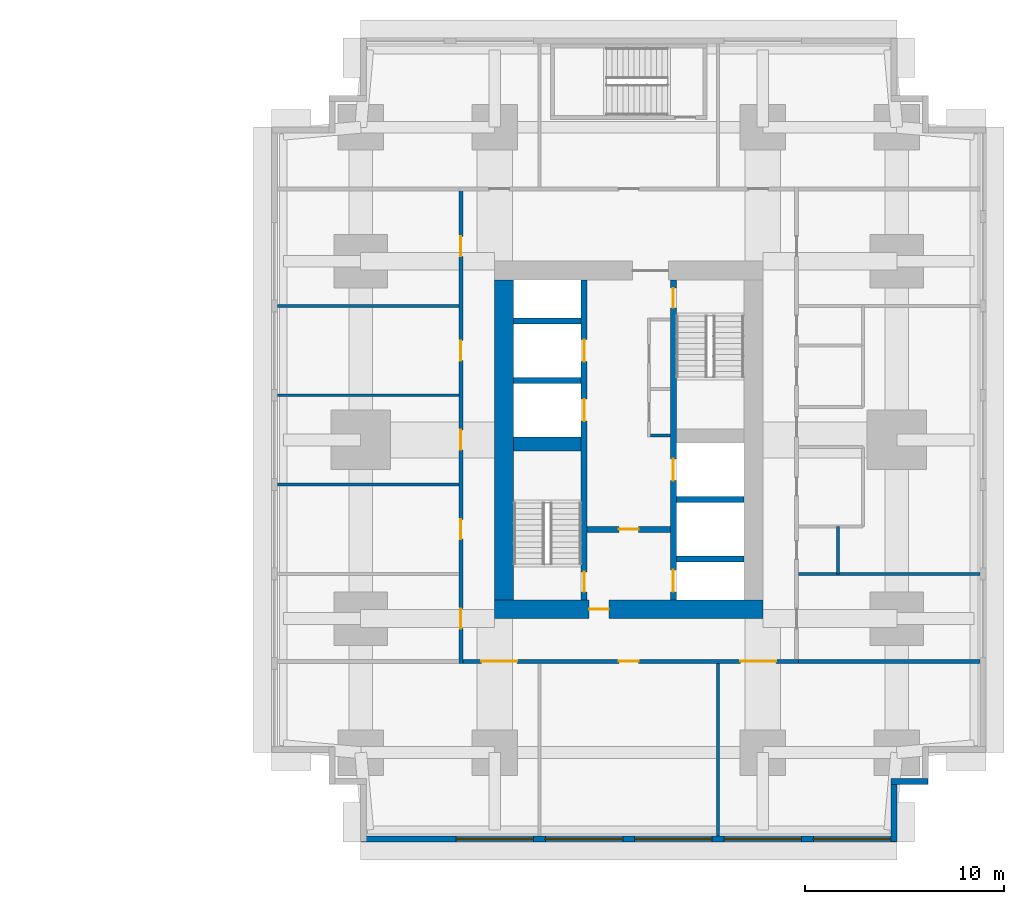
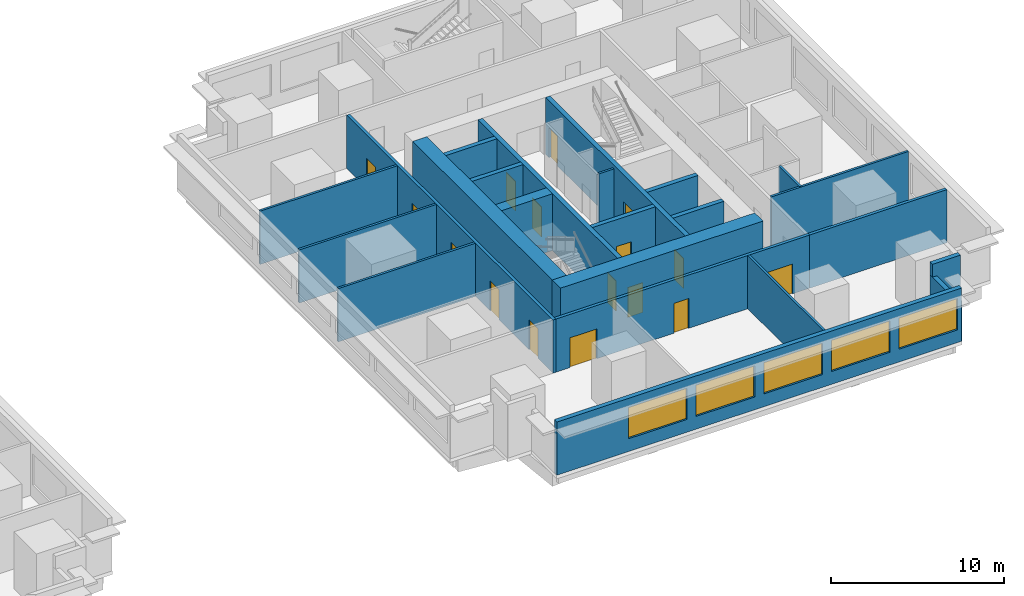
# One storey, part 6 of 11: 23 walls, 16 doors, 5 windows, 21 openings.
"""IFC4 building model written with IfcOpenShell, lengths in metres."""

from ifc_helpers import new_model, si_unit, direction, frame, frame_2d, origin, place, context, subcontext, project, spatial, rectangle, extrude, material, layer, layer_set, type_object, element, fill, save


model = new_model("IFC4")

# Units and contexts
model_context = context("Model", 3, precision=1e-05, world=origin(), true_north=direction((0.0, 1.0)))
body_context = subcontext(model_context, "Body", "Model", "MODEL_VIEW")
ifc_project = project(units=[si_unit("LENGTHUNIT", "METRE"), si_unit("AREAUNIT", "SQUARE_METRE"), si_unit("VOLUMEUNIT", "CUBIC_METRE"), si_unit("PLANEANGLEUNIT", "RADIAN"), si_unit("MASSUNIT", "GRAM", prefix="KILO")], contexts=[model_context])

# Site, building, storey
site_placement = place(None, origin())
site = spatial("IfcSite", under=ifc_project, at=site_placement, CompositionType="ELEMENT")
building_placement = place(site_placement, origin())
building = spatial("IfcBuilding", under=site, at=building_placement, Name="Namib Vertical Campus", CompositionType="ELEMENT")
storey_placement = place(building_placement, frame((0.0, 0.0, 33.0)))
storey = spatial("IfcBuildingStorey", under=building, at=storey_placement, Name="L07", CompositionType="ELEMENT", Elevation=33.0)

# Wall, openings, doors
ifc_material_1 = material(Name="Concrete C60/75", Category="concrete")
ifc_layer_1 = layer(ifc_material_1, 0.300048828125)
ifc_layer_set_1 = layer_set([ifc_layer_1], Name="Concrete C60/75")
wall_type_1 = type_object("IfcWallType", Name="Core inner wall 300", PredefinedType="SHEAR", material=ifc_layer_set_1)
wall_1_placement = place(storey_placement, frame((78.75, 12.199951171875, 0.0), z_axis=(0.0, 0.0, 1.0), x_axis=(0.0, 1.0, 0.0)))
wall_1 = element("IfcWall", 1, at=wall_1_placement, inside=storey, type_object=wall_type_1, Name="Core inner wall B L07 W1", PredefinedType="SHEAR", context=body_context, shape_type="SweptSolid", body=[
    extrude(rectangle(XDim=16.10009765625, YDim=0.300048828125, at=frame_2d((8.050048828125, 0.0))), origin(), (0.0, 0.0, 1.0), 4.0),
])
opening_1_placement = place(wall_1_placement, frame((0.39990234375, 0.0, 0.0)))
opening_1 = element("IfcOpeningElement", 2, at=opening_1_placement, cuts=wall_1, Name="Opening FD1", PredefinedType="OPENING", context=body_context, shape_type="SweptSolid", body=[
    extrude(rectangle(XDim=1.0, YDim=2.10009765625, at=frame_2d((0.5, 1.050048828125))), frame((0.0, 0.159912109375, 0.0), z_axis=(0.0, -1.0, 0.0), x_axis=(1.0, 0.0, 0.0)), (0.0, 0.0, 1.0), 0.320068359375),
])
opening_2_placement = place(wall_1_placement, frame((9.0, 0.0, 0.0)))
opening_2 = element("IfcOpeningElement", 3, at=opening_2_placement, cuts=wall_1, Name="Opening LD1", PredefinedType="OPENING", context=body_context, shape_type="SweptSolid", body=[
    extrude(rectangle(XDim=1.10009765625, YDim=2.10009765625, at=frame_2d((0.550048828125, 1.050048828125))), frame((0.0, 0.159912109375, 0.0), z_axis=(0.0, -1.0, 0.0), x_axis=(1.0, 0.0, 0.0)), (0.0, 0.0, 1.0), 0.320068359375),
])
opening_3_placement = place(wall_1_placement, frame((12.0, 0.0, 0.0)))
opening_3 = element("IfcOpeningElement", 4, at=opening_3_placement, cuts=wall_1, Name="Opening LD1", PredefinedType="OPENING", context=body_context, shape_type="SweptSolid", body=[
    extrude(rectangle(XDim=1.10009765625, YDim=2.10009765625, at=frame_2d((0.550048828125, 1.050048828125))), frame((0.0, 0.159912109375, 0.0), z_axis=(0.0, -1.0, 0.0), x_axis=(1.0, 0.0, 0.0)), (0.0, 0.0, 1.0), 0.320068359375),
])
ifc_material_2 = material(Name="Steel fire door", Category="steel")
door_type_1 = type_object("IfcDoorType", Name="Fire door 1000x2100", OperationType="SINGLE_SWING_RIGHT", PredefinedType="DOOR", material=ifc_material_2)
door_1_placement = place(opening_1_placement, origin())
door_1 = element("IfcDoor", 5, at=door_1_placement, inside=storey, type_object=door_type_1, Name="Stair door FD1 B L07 S1", OperationType="SINGLE_SWING_LEFT", OverallHeight=2.10009765625, OverallWidth=1.0, PredefinedType="DOOR", context=body_context, shape_type="SweptSolid", body=[
    extrude(rectangle(XDim=1.0, YDim=2.10009765625, at=frame_2d((0.5, 1.050048828125))), frame((0.0, 0.02490234375, 0.0), z_axis=(0.0, -1.0, 0.0), x_axis=(1.0, 0.0, 0.0)), (0.0, 0.0, 1.0), 0.050048828125),
])
fill(opening_1, door_1)
ifc_material_3 = material(Name="Stainless steel lift door", Category="steel")
door_type_2 = type_object("IfcDoorType", Name="Lift landing door 1100x2100", OperationType="DOUBLE_DOOR_SLIDING", PredefinedType="DOOR", material=ifc_material_3)
door_2_placement = place(opening_2_placement, origin())
door_2 = element("IfcDoor", 6, at=door_2_placement, inside=storey, type_object=door_type_2, Name="Lift landing door LD1 B-P1 L07", OperationType="DOUBLE_DOOR_SLIDING", OverallHeight=2.10009765625, OverallWidth=1.10009765625, PredefinedType="DOOR", context=body_context, shape_type="SweptSolid", body=[
    extrude(rectangle(XDim=1.10009765625, YDim=2.10009765625, at=frame_2d((0.550048828125, 1.050048828125))), frame((0.0, 0.02490234375, 0.0), z_axis=(0.0, -1.0, 0.0), x_axis=(1.0, 0.0, 0.0)), (0.0, 0.0, 1.0), 0.050048828125),
])
fill(opening_2, door_2)
door_3_placement = place(opening_3_placement, origin())
door_3 = element("IfcDoor", 7, at=door_3_placement, inside=storey, type_object=door_type_2, Name="Lift landing door LD1 B-P2 L07", OperationType="DOUBLE_DOOR_SLIDING", OverallHeight=2.10009765625, OverallWidth=1.10009765625, PredefinedType="DOOR", context=body_context, shape_type="SweptSolid", body=[
    extrude(rectangle(XDim=1.10009765625, YDim=2.10009765625, at=frame_2d((0.550048828125, 1.050048828125))), frame((0.0, 0.02490234375, 0.0), z_axis=(0.0, -1.0, 0.0), x_axis=(1.0, 0.0, 0.0)), (0.0, 0.0, 1.0), 0.050048828125),
])
fill(opening_3, door_3)

wall_2_placement = place(storey_placement, frame((83.25, 12.199951171875, 0.0), z_axis=(0.0, 0.0, 1.0), x_axis=(0.0, 1.0, 0.0)))
wall_2 = element("IfcWall", 8, at=wall_2_placement, inside=storey, type_object=wall_type_1, Name="Core inner wall B L07 W2", PredefinedType="SHEAR", context=body_context, shape_type="SweptSolid", body=[
    extrude(rectangle(XDim=16.10009765625, YDim=0.300048828125, at=frame_2d((8.050048828125, 0.0))), origin(), (0.0, 0.0, 1.0), 4.0),
])
opening_4_placement = place(wall_2_placement, frame((14.699951171875, 0.0, 0.0)))
opening_4 = element("IfcOpeningElement", 9, at=opening_4_placement, cuts=wall_2, Name="Opening FD1", PredefinedType="OPENING", context=body_context, shape_type="SweptSolid", body=[
    extrude(rectangle(XDim=1.0, YDim=2.10009765625, at=frame_2d((0.5, 1.050048828125))), frame((0.0, 0.159912109375, 0.0), z_axis=(0.0, -1.0, 0.0), x_axis=(1.0, 0.0, 0.0)), (0.0, 0.0, 1.0), 0.320068359375),
])
opening_5_placement = place(wall_2_placement, frame((0.39990234375, 0.0, 0.0)))
opening_5 = element("IfcOpeningElement", 10, at=opening_5_placement, cuts=wall_2, Name="Opening LD1", PredefinedType="OPENING", context=body_context, shape_type="SweptSolid", body=[
    extrude(rectangle(XDim=1.10009765625, YDim=2.10009765625, at=frame_2d((0.550048828125, 1.050048828125))), frame((0.0, 0.159912109375, 0.0), z_axis=(0.0, -1.0, 0.0), x_axis=(1.0, 0.0, 0.0)), (0.0, 0.0, 1.0), 0.320068359375),
])
opening_6_placement = place(wall_2_placement, frame((6.0, 0.0, 0.0)))
opening_6 = element("IfcOpeningElement", 11, at=opening_6_placement, cuts=wall_2, Name="Opening LD1", PredefinedType="OPENING", context=body_context, shape_type="SweptSolid", body=[
    extrude(rectangle(XDim=1.10009765625, YDim=2.10009765625, at=frame_2d((0.550048828125, 1.050048828125))), frame((0.0, 0.159912109375, 0.0), z_axis=(0.0, -1.0, 0.0), x_axis=(1.0, 0.0, 0.0)), (0.0, 0.0, 1.0), 0.320068359375),
])
door_4_placement = place(opening_4_placement, frame((1.0, 0.0, 0.0), z_axis=(0.0, 0.0, 1.0), x_axis=(-1.0, 0.0, 0.0)))
door_4 = element("IfcDoor", 12, at=door_4_placement, inside=storey, type_object=door_type_1, Name="Stair door FD1 B L07 S2", OperationType="SINGLE_SWING_LEFT", OverallHeight=2.10009765625, OverallWidth=1.0, PredefinedType="DOOR", context=body_context, shape_type="SweptSolid", body=[
    extrude(rectangle(XDim=1.0, YDim=2.10009765625, at=frame_2d((0.5, 1.050048828125))), frame((0.0, 0.02490234375, 0.0), z_axis=(0.0, -1.0, 0.0), x_axis=(1.0, 0.0, 0.0)), (0.0, 0.0, 1.0), 0.050048828125),
])
fill(opening_4, door_4)
door_5_placement = place(opening_5_placement, origin())
door_5 = element("IfcDoor", 13, at=door_5_placement, inside=storey, type_object=door_type_2, Name="Lift landing door LD1 B-FL1 L07", OperationType="DOUBLE_DOOR_SLIDING", OverallHeight=2.10009765625, OverallWidth=1.10009765625, PredefinedType="DOOR", context=body_context, shape_type="SweptSolid", body=[
    extrude(rectangle(XDim=1.10009765625, YDim=2.10009765625, at=frame_2d((0.550048828125, 1.050048828125))), frame((0.0, 0.02490234375, 0.0), z_axis=(0.0, -1.0, 0.0), x_axis=(1.0, 0.0, 0.0)), (0.0, 0.0, 1.0), 0.050048828125),
])
fill(opening_5, door_5)
door_6_placement = place(opening_6_placement, origin())
door_6 = element("IfcDoor", 14, at=door_6_placement, inside=storey, type_object=door_type_2, Name="Lift landing door LD1 B-P5 L07", OperationType="DOUBLE_DOOR_SLIDING", OverallHeight=2.10009765625, OverallWidth=1.10009765625, PredefinedType="DOOR", context=body_context, shape_type="SweptSolid", body=[
    extrude(rectangle(XDim=1.10009765625, YDim=2.10009765625, at=frame_2d((0.550048828125, 1.050048828125))), frame((0.0, 0.02490234375, 0.0), z_axis=(0.0, -1.0, 0.0), x_axis=(1.0, 0.0, 0.0)), (0.0, 0.0, 1.0), 0.050048828125),
])
fill(opening_6, door_6)

# Wall, opening, door
wall_3_placement = place(storey_placement, frame((78.89990234375, 15.75, 0.0), z_axis=(0.0, 0.0, 1.0), x_axis=(1.0, 0.0, 0.0)))
wall_3 = element("IfcWall", 15, at=wall_3_placement, inside=storey, type_object=wall_type_1, Name="Core inner wall B L07 W4", PredefinedType="SHEAR", context=body_context, shape_type="SweptSolid", body=[
    extrude(rectangle(XDim=4.2001953125, YDim=0.300048828125, at=frame_2d((2.10009765625, 0.0))), origin(), (0.0, 0.0, 1.0), 4.0),
])
opening_7_placement = place(wall_3_placement, frame((1.60009765625, 0.0, 0.0)))
opening_7 = element("IfcOpeningElement", 16, at=opening_7_placement, cuts=wall_3, Name="Opening FD5", PredefinedType="OPENING", context=body_context, shape_type="SweptSolid", body=[
    extrude(rectangle(XDim=1.0, YDim=2.10009765625, at=frame_2d((0.5, 1.050048828125))), frame((0.0, 0.159912109375, 0.0), z_axis=(0.0, -1.0, 0.0), x_axis=(1.0, 0.0, 0.0)), (0.0, 0.0, 1.0), 0.320068359375),
])
ifc_material_4 = material(Name="Steel fire door", Category="steel")
door_type_3 = type_object("IfcDoorType", Name="Fire door 1000x2100 120 min", OperationType="SINGLE_SWING_RIGHT", PredefinedType="DOOR", material=ifc_material_4)
door_7_placement = place(opening_7_placement, frame((1.0, 0.0, 0.0), z_axis=(0.0, 0.0, 1.0), x_axis=(-1.0, 0.0, 0.0)))
door_7 = element("IfcDoor", 17, at=door_7_placement, inside=storey, type_object=door_type_3, Name="Lobby door FD5 B L07", OperationType="SINGLE_SWING_RIGHT", OverallHeight=2.10009765625, OverallWidth=1.0, PredefinedType="DOOR", context=body_context, shape_type="SweptSolid", body=[
    extrude(rectangle(XDim=1.0, YDim=2.10009765625, at=frame_2d((0.5, 1.050048828125))), frame((0.0, 0.02490234375, 0.0), z_axis=(0.0, -1.0, 0.0), x_axis=(1.0, 0.0, 0.0)), (0.0, 0.0, 1.0), 0.050048828125),
])
fill(opening_7, door_7)

# Walls
for number, where, z_axis, x_axis, name in (
    (18, (83.39990234375, 14.25, 0.0), (0.0, 0.0, 1.0), (1.0, 0.0, 0.0), "Core inner wall B L07 W5"),
    (19, (83.39990234375, 17.25, 0.0), (0.0, 0.0, 1.0), (1.0, 0.0, 0.0), "Core inner wall B L07 W6"),
    (20, (75.199951171875, 23.25, 0.0), (0.0, 0.0, 1.0), (1.0, 0.0, 0.0), "Core inner wall B L07 W8"),
    (21, (75.199951171875, 26.25, 0.0), (0.0, 0.0, 1.0), (1.0, 0.0, 0.0), "Core inner wall B L07 W9"),
):
    element("IfcWall", number, at=place(storey_placement, frame(where, z_axis=z_axis, x_axis=x_axis)), inside=storey, type_object=wall_type_1, Name=name, PredefinedType="SHEAR", context=body_context, shape_type="SweptSolid", body=[
        extrude(rectangle(XDim=3.400146484375, YDim=0.300048828125, at=frame_2d((1.7001953125, 0.0))), origin(), (0.0, 0.0, 1.0), 4.0),
    ])
ifc_material_5 = material(Name="Concrete C60/75", Category="concrete")
ifc_layer_2 = layer(ifc_material_5, 0.699951171875)
ifc_layer_set_2 = layer_set([ifc_layer_2], Name="Concrete C60/75")
wall_type_2 = type_object("IfcWallType", Name="Core shear wall 700", PredefinedType="SHEAR", material=ifc_layer_set_2)
wall_4_placement = place(storey_placement, frame((75.199951171875, 20.050048828125, 0.0), z_axis=(0.0, 0.0, 1.0), x_axis=(1.0, 0.0, 0.0)))
element("IfcWall", 22, at=wall_4_placement, inside=storey, type_object=wall_type_2, Name="Core shear wall B L07 W3", PredefinedType="SHEAR", context=body_context, shape_type="SweptSolid", body=[
    extrude(rectangle(XDim=3.400146484375, YDim=0.699951171875, at=frame_2d((1.7001953125, 0.0))), origin(), (0.0, 0.0, 1.0), 4.0),
])

# Wall, opening, door
ifc_material_6 = material(Name="Concrete C60/75", Category="concrete")
ifc_layer_3 = layer(ifc_material_6, 0.949951171875)
ifc_layer_set_3 = layer_set([ifc_layer_3], Name="Concrete C60/75")
wall_type_3 = type_object("IfcWallType", Name="Core wall 950", PredefinedType="SHEAR", material=ifc_layer_set_3)
wall_5_placement = place(storey_placement, frame((74.25, 11.72509765625, 0.0), z_axis=(0.0, 0.0, 1.0), x_axis=(1.0, 0.0, 0.0)))
wall_5 = element("IfcWall", 23, at=wall_5_placement, inside=storey, type_object=wall_type_3, Name="Core wall B L07 1", PredefinedType="SHEAR", context=body_context, shape_type="SweptSolid", body=[
    extrude(rectangle(XDim=13.5, YDim=0.949951171875, at=frame_2d((6.75, 0.0))), origin(), (0.0, 0.0, 1.0), 4.0),
])
opening_8_placement = place(wall_5_placement, frame((4.75, 0.0, 0.0)))
opening_8 = element("IfcOpeningElement", 24, at=opening_8_placement, cuts=wall_5, Name="Opening FD5", PredefinedType="OPENING", context=body_context, shape_type="SweptSolid", body=[
    extrude(rectangle(XDim=1.0, YDim=2.10009765625, at=frame_2d((0.5, 1.050048828125))), frame((0.0, 0.48486328125, 0.0), z_axis=(0.0, -1.0, 0.0), x_axis=(1.0, 0.0, 0.0)), (0.0, 0.0, 1.0), 0.969970703125),
])
door_8_placement = place(opening_8_placement, origin())
door_8 = element("IfcDoor", 25, at=door_8_placement, inside=storey, type_object=door_type_3, Name="Firefighting lobby door FD5 B L07", OperationType="SINGLE_SWING_LEFT", OverallHeight=2.10009765625, OverallWidth=1.0, PredefinedType="DOOR", context=body_context, shape_type="SweptSolid", body=[
    extrude(rectangle(XDim=1.0, YDim=2.10009765625, at=frame_2d((0.5, 1.050048828125))), frame((0.0, 0.02490234375, 0.0), z_axis=(0.0, -1.0, 0.0), x_axis=(1.0, 0.0, 0.0)), (0.0, 0.0, 1.0), 0.050048828125),
])
fill(opening_8, door_8)

# Wall
wall_6_placement = place(storey_placement, frame((74.72509765625, 28.300048828125, 0.0), z_axis=(0.0, 0.0, 1.0), x_axis=(0.0, -1.0, 0.0)))
element("IfcWall", 26, at=wall_6_placement, inside=storey, type_object=wall_type_3, Name="Core wall B L07 4", PredefinedType="SHEAR", context=body_context, shape_type="SweptSolid", body=[
    extrude(rectangle(XDim=16.10009765625, YDim=0.949951171875, at=frame_2d((8.050048828125, 0.0))), origin(), (0.0, 0.0, 1.0), 4.0),
])

# Wall, openings, doors
ifc_material_7 = material(Name="Concrete masonry", Category="masonry")
ifc_layer_4 = layer(ifc_material_7, 0.199951171875)
ifc_layer_set_4 = layer_set([ifc_layer_4], Name="Corridor wall 200")
wall_type_4 = type_object("IfcWallType", Name="Corridor wall 200", PredefinedType="SOLIDWALL", material=ifc_layer_set_4)
wall_7_placement = place(storey_placement, frame((72.64990234375, 9.10009765625, 0.0), z_axis=(0.0, 0.0, 1.0), x_axis=(1.0, 0.0, 0.0)))
wall_7 = element("IfcWall", 27, at=wall_7_placement, inside=storey, type_object=wall_type_4, Name="Corridor wall B L07 CS", PredefinedType="SOLIDWALL", context=body_context, shape_type="SweptSolid", body=[
    extrude(rectangle(XDim=16.900146484375, YDim=0.199951171875, at=frame_2d((8.4501953125, 0.0))), origin(), (0.0, 0.0, 1.0), 3.75),
])
opening_9_placement = place(wall_7_placement, frame((0.925048828125, 0.0, 0.0)))
opening_9 = element("IfcOpeningElement", 28, at=opening_9_placement, cuts=wall_7, Name="Opening CD2", PredefinedType="OPENING", context=body_context, shape_type="SweptSolid", body=[
    extrude(rectangle(XDim=1.800048828125, YDim=2.10009765625, at=frame_2d((0.89990234375, 1.050048828125))), frame((0.0, 0.10986328125, 0.0), z_axis=(0.0, -1.0, 0.0), x_axis=(1.0, 0.0, 0.0)), (0.0, 0.0, 1.0), 0.219970703125),
])
opening_10_placement = place(wall_7_placement, frame((7.85009765625, 0.0, 0.0)))
opening_10 = element("IfcOpeningElement", 29, at=opening_10_placement, cuts=wall_7, Name="Opening CD1", PredefinedType="OPENING", context=body_context, shape_type="SweptSolid", body=[
    extrude(rectangle(XDim=1.0, YDim=2.10009765625, at=frame_2d((0.5, 1.050048828125))), frame((0.0, 0.10986328125, 0.0), z_axis=(0.0, -1.0, 0.0), x_axis=(1.0, 0.0, 0.0)), (0.0, 0.0, 1.0), 0.219970703125),
])
opening_11_placement = place(wall_7_placement, frame((13.97509765625, 0.0, 0.0)))
opening_11 = element("IfcOpeningElement", 30, at=opening_11_placement, cuts=wall_7, Name="Opening CD2", PredefinedType="OPENING", context=body_context, shape_type="SweptSolid", body=[
    extrude(rectangle(XDim=1.800048828125, YDim=2.10009765625, at=frame_2d((0.89990234375, 1.050048828125))), frame((0.0, 0.10986328125, 0.0), z_axis=(0.0, -1.0, 0.0), x_axis=(1.0, 0.0, 0.0)), (0.0, 0.0, 1.0), 0.219970703125),
])
ifc_material_8 = material(Name="Timber fire door leaf", Category="wood")
door_type_4 = type_object("IfcDoorType", Name="Corridor door 1000x2100 20 min", OperationType="SINGLE_SWING_LEFT", PredefinedType="DOOR", material=ifc_material_8)
door_9_placement = place(opening_10_placement, frame((1.0, 0.0, 0.0), z_axis=(0.0, 0.0, 1.0), x_axis=(-1.0, 0.0, 0.0)))
door_9 = element("IfcDoor", 31, at=door_9_placement, inside=storey, type_object=door_type_4, Name="Door CD1 B07-02", OperationType="SINGLE_SWING_RIGHT", OverallHeight=2.10009765625, OverallWidth=1.0, PredefinedType="DOOR", context=body_context, shape_type="SweptSolid", body=[
    extrude(rectangle(XDim=1.0, YDim=2.10009765625, at=frame_2d((0.5, 1.050048828125))), frame((0.0, 0.02490234375, 0.0), z_axis=(0.0, -1.0, 0.0), x_axis=(1.0, 0.0, 0.0)), (0.0, 0.0, 1.0), 0.050048828125),
])
fill(opening_10, door_9)
ifc_material_9 = material(Name="Timber fire door leaf", Category="wood")
door_type_5 = type_object("IfcDoorType", Name="Corridor door double 1800x2100 20 min", OperationType="DOUBLE_DOOR_SINGLE_SWING", PredefinedType="DOOR", material=ifc_material_9)
door_10_placement = place(opening_9_placement, frame((1.800048828125, 0.0, 0.0), z_axis=(0.0, 0.0, 1.0), x_axis=(-1.0, 0.0, 0.0)))
door_10 = element("IfcDoor", 32, at=door_10_placement, inside=storey, type_object=door_type_5, Name="Door CD2 B07-01", OperationType="DOUBLE_DOOR_SINGLE_SWING", OverallHeight=2.10009765625, OverallWidth=1.800048828125, PredefinedType="DOOR", context=body_context, shape_type="SweptSolid", body=[
    extrude(rectangle(XDim=1.800048828125, YDim=2.10009765625, at=frame_2d((0.89990234375, 1.050048828125))), frame((0.0, 0.02490234375, 0.0), z_axis=(0.0, -1.0, 0.0), x_axis=(1.0, 0.0, 0.0)), (0.0, 0.0, 1.0), 0.050048828125),
])
fill(opening_9, door_10)
door_11_placement = place(opening_11_placement, frame((1.800048828125, 0.0, 0.0), z_axis=(0.0, 0.0, 1.0), x_axis=(-1.0, 0.0, 0.0)))
door_11 = element("IfcDoor", 33, at=door_11_placement, inside=storey, type_object=door_type_5, Name="Door CD2 B07-03", OperationType="DOUBLE_DOOR_SINGLE_SWING", OverallHeight=2.10009765625, OverallWidth=1.800048828125, PredefinedType="DOOR", context=body_context, shape_type="SweptSolid", body=[
    extrude(rectangle(XDim=1.800048828125, YDim=2.10009765625, at=frame_2d((0.89990234375, 1.050048828125))), frame((0.0, 0.02490234375, 0.0), z_axis=(0.0, -1.0, 0.0), x_axis=(1.0, 0.0, 0.0)), (0.0, 0.0, 1.0), 0.050048828125),
])
fill(opening_11, door_11)

wall_8_placement = place(storey_placement, frame((72.550048828125, 32.800048828125, 0.0), z_axis=(0.0, 0.0, 1.0), x_axis=(0.0, -1.0, 0.0)))
wall_8 = element("IfcWall", 34, at=wall_8_placement, inside=storey, type_object=wall_type_4, Name="Corridor wall B L07 CW", PredefinedType="SOLIDWALL", context=body_context, shape_type="SweptSolid", body=[
    extrude(rectangle(XDim=23.800048828125, YDim=0.199951171875, at=frame_2d((11.89990234375, 0.0))), origin(), (0.0, 0.0, 1.0), 3.75),
])
opening_12_placement = place(wall_8_placement, frame((21.050048828125, 0.0, 0.0)))
opening_12 = element("IfcOpeningElement", 35, at=opening_12_placement, cuts=wall_8, Name="Opening CD1", PredefinedType="OPENING", context=body_context, shape_type="SweptSolid", body=[
    extrude(rectangle(XDim=1.0, YDim=2.10009765625, at=frame_2d((0.5, 1.050048828125))), frame((0.0, 0.10986328125, 0.0), z_axis=(0.0, -1.0, 0.0), x_axis=(1.0, 0.0, 0.0)), (0.0, 0.0, 1.0), 0.219970703125),
])
opening_13_placement = place(wall_8_placement, frame((16.550048828125, 0.0, 0.0)))
opening_13 = element("IfcOpeningElement", 36, at=opening_13_placement, cuts=wall_8, Name="Opening CD1", PredefinedType="OPENING", context=body_context, shape_type="SweptSolid", body=[
    extrude(rectangle(XDim=1.0, YDim=2.10009765625, at=frame_2d((0.5, 1.050048828125))), frame((0.0, 0.10986328125, 0.0), z_axis=(0.0, -1.0, 0.0), x_axis=(1.0, 0.0, 0.0)), (0.0, 0.0, 1.0), 0.219970703125),
])
opening_14_placement = place(wall_8_placement, frame((12.050048828125, 0.0, 0.0)))
opening_14 = element("IfcOpeningElement", 37, at=opening_14_placement, cuts=wall_8, Name="Opening CD1", PredefinedType="OPENING", context=body_context, shape_type="SweptSolid", body=[
    extrude(rectangle(XDim=1.0, YDim=2.10009765625, at=frame_2d((0.5, 1.050048828125))), frame((0.0, 0.10986328125, 0.0), z_axis=(0.0, -1.0, 0.0), x_axis=(1.0, 0.0, 0.0)), (0.0, 0.0, 1.0), 0.219970703125),
])
opening_15_placement = place(wall_8_placement, frame((7.550048828125, 0.0, 0.0)))
opening_15 = element("IfcOpeningElement", 38, at=opening_15_placement, cuts=wall_8, Name="Opening CD1", PredefinedType="OPENING", context=body_context, shape_type="SweptSolid", body=[
    extrude(rectangle(XDim=1.0, YDim=2.10009765625, at=frame_2d((0.5, 1.050048828125))), frame((0.0, 0.10986328125, 0.0), z_axis=(0.0, -1.0, 0.0), x_axis=(1.0, 0.0, 0.0)), (0.0, 0.0, 1.0), 0.219970703125),
])
opening_16_placement = place(wall_8_placement, frame((2.300048828125, 0.0, 0.0)))
opening_16 = element("IfcOpeningElement", 39, at=opening_16_placement, cuts=wall_8, Name="Opening CD1", PredefinedType="OPENING", context=body_context, shape_type="SweptSolid", body=[
    extrude(rectangle(XDim=1.0, YDim=2.10009765625, at=frame_2d((0.5, 1.050048828125))), frame((0.0, 0.10986328125, 0.0), z_axis=(0.0, -1.0, 0.0), x_axis=(1.0, 0.0, 0.0)), (0.0, 0.0, 1.0), 0.219970703125),
])
door_12_placement = place(opening_12_placement, frame((1.0, 0.0, 0.0), z_axis=(0.0, 0.0, 1.0), x_axis=(-1.0, 0.0, 0.0)))
door_12 = element("IfcDoor", 40, at=door_12_placement, inside=storey, type_object=door_type_4, Name="Door CD1 B07-14", OperationType="SINGLE_SWING_RIGHT", OverallHeight=2.10009765625, OverallWidth=1.0, PredefinedType="DOOR", context=body_context, shape_type="SweptSolid", body=[
    extrude(rectangle(XDim=1.0, YDim=2.10009765625, at=frame_2d((0.5, 1.050048828125))), frame((0.0, 0.02490234375, 0.0), z_axis=(0.0, -1.0, 0.0), x_axis=(1.0, 0.0, 0.0)), (0.0, 0.0, 1.0), 0.050048828125),
])
fill(opening_12, door_12)
door_13_placement = place(opening_13_placement, frame((1.0, 0.0, 0.0), z_axis=(0.0, 0.0, 1.0), x_axis=(-1.0, 0.0, 0.0)))
door_13 = element("IfcDoor", 41, at=door_13_placement, inside=storey, type_object=door_type_4, Name="Door CD1 B07-15", OperationType="SINGLE_SWING_RIGHT", OverallHeight=2.10009765625, OverallWidth=1.0, PredefinedType="DOOR", context=body_context, shape_type="SweptSolid", body=[
    extrude(rectangle(XDim=1.0, YDim=2.10009765625, at=frame_2d((0.5, 1.050048828125))), frame((0.0, 0.02490234375, 0.0), z_axis=(0.0, -1.0, 0.0), x_axis=(1.0, 0.0, 0.0)), (0.0, 0.0, 1.0), 0.050048828125),
])
fill(opening_13, door_13)
door_14_placement = place(opening_14_placement, frame((1.0, 0.0, 0.0), z_axis=(0.0, 0.0, 1.0), x_axis=(-1.0, 0.0, 0.0)))
door_14 = element("IfcDoor", 42, at=door_14_placement, inside=storey, type_object=door_type_4, Name="Door CD1 B07-16", OperationType="SINGLE_SWING_RIGHT", OverallHeight=2.10009765625, OverallWidth=1.0, PredefinedType="DOOR", context=body_context, shape_type="SweptSolid", body=[
    extrude(rectangle(XDim=1.0, YDim=2.10009765625, at=frame_2d((0.5, 1.050048828125))), frame((0.0, 0.02490234375, 0.0), z_axis=(0.0, -1.0, 0.0), x_axis=(1.0, 0.0, 0.0)), (0.0, 0.0, 1.0), 0.050048828125),
])
fill(opening_14, door_14)
door_15_placement = place(opening_15_placement, frame((1.0, 0.0, 0.0), z_axis=(0.0, 0.0, 1.0), x_axis=(-1.0, 0.0, 0.0)))
door_15 = element("IfcDoor", 43, at=door_15_placement, inside=storey, type_object=door_type_4, Name="Door CD1 B07-17", OperationType="SINGLE_SWING_RIGHT", OverallHeight=2.10009765625, OverallWidth=1.0, PredefinedType="DOOR", context=body_context, shape_type="SweptSolid", body=[
    extrude(rectangle(XDim=1.0, YDim=2.10009765625, at=frame_2d((0.5, 1.050048828125))), frame((0.0, 0.02490234375, 0.0), z_axis=(0.0, -1.0, 0.0), x_axis=(1.0, 0.0, 0.0)), (0.0, 0.0, 1.0), 0.050048828125),
])
fill(opening_15, door_15)
door_16_placement = place(opening_16_placement, frame((1.0, 0.0, 0.0), z_axis=(0.0, 0.0, 1.0), x_axis=(-1.0, 0.0, 0.0)))
door_16 = element("IfcDoor", 44, at=door_16_placement, inside=storey, type_object=door_type_4, Name="Door CD1 B07-18", OperationType="SINGLE_SWING_RIGHT", OverallHeight=2.10009765625, OverallWidth=1.0, PredefinedType="DOOR", context=body_context, shape_type="SweptSolid", body=[
    extrude(rectangle(XDim=1.0, YDim=2.10009765625, at=frame_2d((0.5, 1.050048828125))), frame((0.0, 0.02490234375, 0.0), z_axis=(0.0, -1.0, 0.0), x_axis=(1.0, 0.0, 0.0)), (0.0, 0.0, 1.0), 0.050048828125),
])
fill(opening_16, door_16)

# Wall
wall_9_placement = place(storey_placement, frame((89.550048828125, 9.10009765625, 0.0), z_axis=(0.0, 0.0, 1.0), x_axis=(1.0, 0.0, 0.0)))
element("IfcWall", 45, at=wall_9_placement, inside=storey, type_object=wall_type_4, Name="Partition B L07 BSE", PredefinedType="SOLIDWALL", context=body_context, shape_type="SweptSolid", body=[
    extrude(rectangle(XDim=9.14990234375, YDim=0.199951171875, at=frame_2d((4.574951171875, 0.0))), origin(), (0.0, 0.0, 1.0), 3.75),
])

# Wall, openings, windows
ifc_material_10 = material(Name="Concrete C40/50", Category="concrete")
ifc_layer_5 = layer(ifc_material_10, 0.300048828125)
ifc_layer_set_5 = layer_set([ifc_layer_5], Name="Concrete C40/50")
wall_type_5 = type_object("IfcWallType", Name="External wall 300 board-marked concrete", PredefinedType="STANDARD", material=ifc_layer_set_5)
wall_10_placement = place(storey_placement, frame((67.52001953125, 0.14990234375, 0.0), z_axis=(0.0, 0.0, 1.0), x_axis=(1.0, 0.0, 0.0)))
wall_10 = element("IfcWall", 46, at=wall_10_placement, inside=storey, type_object=wall_type_5, Name="External wall L07 F01", PredefinedType="STANDARD", context=body_context, shape_type="SweptSolid", body=[
    extrude(rectangle(XDim=26.9599609375, YDim=0.300048828125, at=frame_2d((13.47998046875, 0.0))), origin(), (0.0, 0.0, 1.0), 3.75),
])
opening_17_placement = place(wall_10_placement, frame((4.780029296875, 0.0, 0.89990234375)))
opening_17 = element("IfcOpeningElement", 47, at=opening_17_placement, cuts=wall_10, Name="Opening W1", PredefinedType="OPENING", context=body_context, shape_type="SweptSolid", body=[
    extrude(rectangle(XDim=3.89990234375, YDim=2.199951171875, at=frame_2d((1.949951171875, 1.10009765625))), frame((0.0, 0.159912109375, 0.0), z_axis=(0.0, -1.0, 0.0), x_axis=(1.0, 0.0, 0.0)), (0.0, 0.0, 1.0), 0.320068359375),
])
opening_18_placement = place(wall_10_placement, frame((9.280029296875, 0.0, 0.89990234375)))
opening_18 = element("IfcOpeningElement", 48, at=opening_18_placement, cuts=wall_10, Name="Opening W1", PredefinedType="OPENING", context=body_context, shape_type="SweptSolid", body=[
    extrude(rectangle(XDim=3.89990234375, YDim=2.199951171875, at=frame_2d((1.949951171875, 1.10009765625))), frame((0.0, 0.159912109375, 0.0), z_axis=(0.0, -1.0, 0.0), x_axis=(1.0, 0.0, 0.0)), (0.0, 0.0, 1.0), 0.320068359375),
])
opening_19_placement = place(wall_10_placement, frame((13.780029296875, 0.0, 0.89990234375)))
opening_19 = element("IfcOpeningElement", 49, at=opening_19_placement, cuts=wall_10, Name="Opening W1", PredefinedType="OPENING", context=body_context, shape_type="SweptSolid", body=[
    extrude(rectangle(XDim=3.89990234375, YDim=2.199951171875, at=frame_2d((1.949951171875, 1.10009765625))), frame((0.0, 0.159912109375, 0.0), z_axis=(0.0, -1.0, 0.0), x_axis=(1.0, 0.0, 0.0)), (0.0, 0.0, 1.0), 0.320068359375),
])
opening_20_placement = place(wall_10_placement, frame((18.280029296875, 0.0, 0.89990234375)))
opening_20 = element("IfcOpeningElement", 50, at=opening_20_placement, cuts=wall_10, Name="Opening W1", PredefinedType="OPENING", context=body_context, shape_type="SweptSolid", body=[
    extrude(rectangle(XDim=3.89990234375, YDim=2.199951171875, at=frame_2d((1.949951171875, 1.10009765625))), frame((0.0, 0.159912109375, 0.0), z_axis=(0.0, -1.0, 0.0), x_axis=(1.0, 0.0, 0.0)), (0.0, 0.0, 1.0), 0.320068359375),
])
opening_21_placement = place(wall_10_placement, frame((22.780029296875, 0.0, 0.89990234375)))
opening_21 = element("IfcOpeningElement", 51, at=opening_21_placement, cuts=wall_10, Name="Opening W1", PredefinedType="OPENING", context=body_context, shape_type="SweptSolid", body=[
    extrude(rectangle(XDim=3.89990234375, YDim=2.199951171875, at=frame_2d((1.949951171875, 1.10009765625))), frame((0.0, 0.159912109375, 0.0), z_axis=(0.0, -1.0, 0.0), x_axis=(1.0, 0.0, 0.0)), (0.0, 0.0, 1.0), 0.320068359375),
])
ifc_material_11 = material(Name="Dark tinted glass in black aluminium frame", Category="aluminium")
window_type = type_object("IfcWindowType", Name="Ribbon window 3900x2200", PartitioningType="SINGLE_PANEL", PredefinedType="WINDOW", material=ifc_material_11)
window_1_placement = place(opening_17_placement, origin())
window_1 = element("IfcWindow", 52, at=window_1_placement, inside=storey, type_object=window_type, Name="Window W1 L07 F01-2", OverallHeight=2.199951171875, OverallWidth=3.89990234375, PartitioningType="SINGLE_PANEL", PredefinedType="WINDOW", context=body_context, shape_type="SweptSolid", body=[
    extrude(rectangle(XDim=3.89990234375, YDim=2.199951171875, at=frame_2d((1.949951171875, 1.10009765625))), frame((0.0, 0.030029296875, 0.0), z_axis=(0.0, -1.0, 0.0), x_axis=(1.0, 0.0, 0.0)), (0.0, 0.0, 1.0), 0.06005859375),
])
fill(opening_17, window_1)
window_2_placement = place(opening_18_placement, origin())
window_2 = element("IfcWindow", 53, at=window_2_placement, inside=storey, type_object=window_type, Name="Window W1 L07 F01-3", OverallHeight=2.199951171875, OverallWidth=3.89990234375, PartitioningType="SINGLE_PANEL", PredefinedType="WINDOW", context=body_context, shape_type="SweptSolid", body=[
    extrude(rectangle(XDim=3.89990234375, YDim=2.199951171875, at=frame_2d((1.949951171875, 1.10009765625))), frame((0.0, 0.030029296875, 0.0), z_axis=(0.0, -1.0, 0.0), x_axis=(1.0, 0.0, 0.0)), (0.0, 0.0, 1.0), 0.06005859375),
])
fill(opening_18, window_2)
window_3_placement = place(opening_19_placement, origin())
window_3 = element("IfcWindow", 54, at=window_3_placement, inside=storey, type_object=window_type, Name="Window W1 L07 F01-4", OverallHeight=2.199951171875, OverallWidth=3.89990234375, PartitioningType="SINGLE_PANEL", PredefinedType="WINDOW", context=body_context, shape_type="SweptSolid", body=[
    extrude(rectangle(XDim=3.89990234375, YDim=2.199951171875, at=frame_2d((1.949951171875, 1.10009765625))), frame((0.0, 0.030029296875, 0.0), z_axis=(0.0, -1.0, 0.0), x_axis=(1.0, 0.0, 0.0)), (0.0, 0.0, 1.0), 0.06005859375),
])
fill(opening_19, window_3)
window_4_placement = place(opening_20_placement, origin())
window_4 = element("IfcWindow", 55, at=window_4_placement, inside=storey, type_object=window_type, Name="Window W1 L07 F01-5", OverallHeight=2.199951171875, OverallWidth=3.89990234375, PartitioningType="SINGLE_PANEL", PredefinedType="WINDOW", context=body_context, shape_type="SweptSolid", body=[
    extrude(rectangle(XDim=3.89990234375, YDim=2.199951171875, at=frame_2d((1.949951171875, 1.10009765625))), frame((0.0, 0.030029296875, 0.0), z_axis=(0.0, -1.0, 0.0), x_axis=(1.0, 0.0, 0.0)), (0.0, 0.0, 1.0), 0.06005859375),
])
fill(opening_20, window_4)
window_5_placement = place(opening_21_placement, origin())
window_5 = element("IfcWindow", 56, at=window_5_placement, inside=storey, type_object=window_type, Name="Window W1 L07 F01-6", OverallHeight=2.199951171875, OverallWidth=3.89990234375, PartitioningType="SINGLE_PANEL", PredefinedType="WINDOW", context=body_context, shape_type="SweptSolid", body=[
    extrude(rectangle(XDim=3.89990234375, YDim=2.199951171875, at=frame_2d((1.949951171875, 1.10009765625))), frame((0.0, 0.030029296875, 0.0), z_axis=(0.0, -1.0, 0.0), x_axis=(1.0, 0.0, 0.0)), (0.0, 0.0, 1.0), 0.06005859375),
])
fill(opening_21, window_5)

# Walls
wall_11_placement = place(storey_placement, frame((94.35009765625, 0.02001953125, 0.0), z_axis=(0.0, 0.0, 1.0), x_axis=(0.0, 1.0, 0.0)))
element("IfcWall", 57, at=wall_11_placement, inside=storey, type_object=wall_type_5, Name="External wall L07 F02", PredefinedType="STANDARD", context=body_context, shape_type="SweptSolid", body=[
    extrude(rectangle(XDim=3.159912109375, YDim=0.300048828125, at=frame_2d((1.580078125, 0.0))), origin(), (0.0, 0.0, 1.0), 2.85009765625),
])
wall_12_placement = place(storey_placement, frame((94.219970703125, 3.050048828125, 0.0), z_axis=(0.0, 0.0, 1.0), x_axis=(1.0, 0.0, 0.0)))
element("IfcWall", 58, at=wall_12_placement, inside=storey, type_object=wall_type_5, Name="External wall L07 F03", PredefinedType="STANDARD", context=body_context, shape_type="SweptSolid", body=[
    extrude(rectangle(XDim=1.860107421875, YDim=0.300048828125, at=frame_2d((0.93017578125, 0.0))), origin(), (0.0, 0.0, 1.0), 3.75),
])
ifc_material_12 = material(Name="Gypsum board on steel studs", Category="steel")
ifc_layer_6 = layer(ifc_material_12, 0.14990234375)
ifc_layer_set_6 = layer_set([ifc_layer_6], Name="Gypsum board on steel studs")
wall_type_6 = type_object("IfcWallType", Name="Partition 150", PredefinedType="PARTITIONING", material=ifc_layer_set_6)
wall_13_placement = place(storey_placement, frame((82.10009765625, 20.47509765625, 0.0), z_axis=(0.0, 0.0, 1.0), x_axis=(1.0, 0.0, 0.0)))
element("IfcWall", 59, at=wall_13_placement, inside=storey, type_object=wall_type_6, Name="Partition B L07 Cleaners' store and Tea point end 1", PredefinedType="PARTITIONING", context=body_context, shape_type="SweptSolid", body=[
    extrude(rectangle(XDim=1.0, YDim=0.14990234375, at=frame_2d((0.5, 0.0))), origin(), (0.0, 0.0, 1.0), 3.75),
])
wall_14_placement = place(storey_placement, frame((85.5, 0.300048828125, 0.0), z_axis=(0.0, 0.0, 1.0), x_axis=(0.0, 1.0, 0.0)))
element("IfcWall", 60, at=wall_14_placement, inside=storey, type_object=wall_type_6, Name="Partition B L07 PS2", PredefinedType="PARTITIONING", context=body_context, shape_type="SweptSolid", body=[
    extrude(rectangle(XDim=8.699951171875, YDim=0.14990234375, at=frame_2d((4.35009765625, 0.0))), origin(), (0.0, 0.0, 1.0), 3.75),
])
for number, where, z_axis, x_axis, name in (
    (61, (89.550048828125, 13.5, 0.0), (0.0, 0.0, 1.0), (1.0, 0.0, 0.0), "Partition B L07 PE1"),
    (62, (63.300048828125, 18.0, 0.0), (0.0, 0.0, 1.0), (1.0, 0.0, 0.0), "Partition B L07 PW2"),
    (63, (63.300048828125, 22.5, 0.0), (0.0, 0.0, 1.0), (1.0, 0.0, 0.0), "Partition B L07 PW3"),
    (64, (63.300048828125, 27.0, 0.0), (0.0, 0.0, 1.0), (1.0, 0.0, 0.0), "Partition B L07 PW4"),
):
    element("IfcWall", number, at=place(storey_placement, frame(where, z_axis=z_axis, x_axis=x_axis)), inside=storey, type_object=wall_type_6, Name=name, PredefinedType="PARTITIONING", context=body_context, shape_type="SweptSolid", body=[
        extrude(rectangle(XDim=9.14990234375, YDim=0.14990234375, at=frame_2d((4.574951171875, 0.0))), origin(), (0.0, 0.0, 1.0), 3.75),
    ])
wall_15_placement = place(storey_placement, frame((91.550048828125, 13.5, 0.0), z_axis=(0.0, 0.0, 1.0), x_axis=(0.0, 1.0, 0.0)))
element("IfcWall", 65, at=wall_15_placement, inside=storey, type_object=wall_type_6, Name="Partition B L07 WB1", PredefinedType="PARTITIONING", context=body_context, shape_type="SweptSolid", body=[
    extrude(rectangle(XDim=2.39990234375, YDim=0.14990234375, at=frame_2d((1.199951171875, 0.0))), origin(), (0.0, 0.0, 1.0), 3.75),
])

save(model, "model.ifc")
